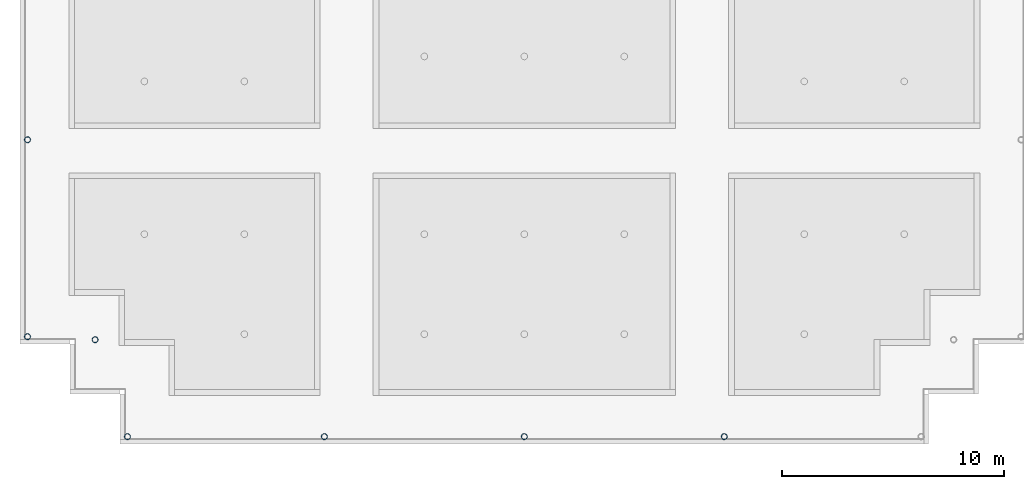
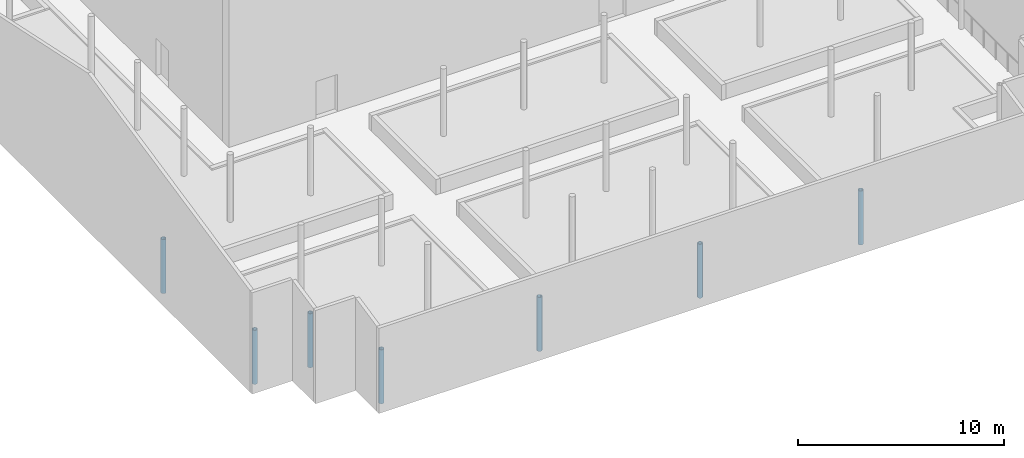
# One storey, part 1 of 9: 7 columns.
"""IFC4 building model written with IfcOpenShell, lengths in metres."""

from ifc_helpers import new_model, si_unit, direction, frame, origin, origin_2d, place, context, subcontext, project, spatial, hollow_circle, extrude, material, material_profile, profile_set, type_object, element, save


model = new_model("IFC4")

# Units and contexts
model_context = context("Model", 3, precision=1e-05, world=origin(), true_north=direction((0.0, 1.0)))
body_context = subcontext(model_context, "Body", "Model", "MODEL_VIEW")
ifc_project = project(units=[si_unit("LENGTHUNIT", "METRE"), si_unit("AREAUNIT", "SQUARE_METRE"), si_unit("VOLUMEUNIT", "CUBIC_METRE"), si_unit("PLANEANGLEUNIT", "RADIAN"), si_unit("MASSUNIT", "GRAM", prefix="KILO")], contexts=[model_context])

# Site, building, storey
site_placement = place(None, origin())
site = spatial("IfcSite", under=ifc_project, at=site_placement, CompositionType="ELEMENT")
building_placement = place(site_placement, origin())
building = spatial("IfcBuilding", under=site, at=building_placement, Name="Orbiselva Terraces", CompositionType="ELEMENT")
storey_placement = place(building_placement, frame((0.0, 0.0, 303.4)))
storey = spatial("IfcBuildingStorey", under=building, at=storey_placement, Name="L75", CompositionType="ELEMENT", Elevation=303.4)

# Columns
ifc_material = material(Name="Steel ASTM A500 Grade C", Category="steel")
ifc_material_profile = material_profile(ifc_material, hollow_circle(Radius=0.13655, WallThickness=0.0127, at=origin_2d()), Name="HSS273.1X12.7")
ifc_profile_set = profile_set([ifc_material_profile], Name="Steel ASTM A500 Grade C")
column_type = type_object("IfcColumnType", Name="CANOPY COLUMN HSS273.1X12.7", PredefinedType="COLUMN", material=ifc_profile_set)
for number, where, z_axis, x_axis, name in (
    (1, (-17.86345, -17.86345, 0.0), (0.0, 0.0, 1.0), (1.0, 0.0, 0.0), "Canopy column L75-01"),
    (2, (-22.36345, -13.36345, 0.0), (0.0, 0.0, 1.0), (1.0, 0.0, 0.0), "Canopy column L75-03"),
    (3, (-19.32, -13.5, 0.0), (0.0, 0.0, 1.0), (1.0, 0.0, 0.0), "Canopy column L75-04"),
    (4, (-22.36345, -4.5, 0.0), (0.0, 0.0, 1.0), (1.0, 0.0, 0.0), "Canopy column L75-05"),
    (5, (-9.0, -17.86345, 0.0), (0.0, 0.0, 1.0), (1.0, 0.0, 0.0), "Canopy column L75-09"),
    (6, (0.0, -17.86345, 0.0), (0.0, 0.0, 1.0), (1.0, 0.0, 0.0), "Canopy column L75-10"),
    (7, (9.0, -17.86345, 0.0), (0.0, 0.0, 1.0), (1.0, 0.0, 0.0), "Canopy column L75-19"),
):
    element("IfcColumn", number, at=place(storey_placement, frame(where, z_axis=z_axis, x_axis=x_axis)), inside=storey, type_object=column_type, Name=name, PredefinedType="COLUMN", context=body_context, shape_type="SweptSolid", body=[
        extrude(hollow_circle(Radius=0.13655, WallThickness=0.0127, at=origin_2d()), origin(), (0.0, 0.0, 1.0), 3.2),
    ])

save(model, "model.ifc")
